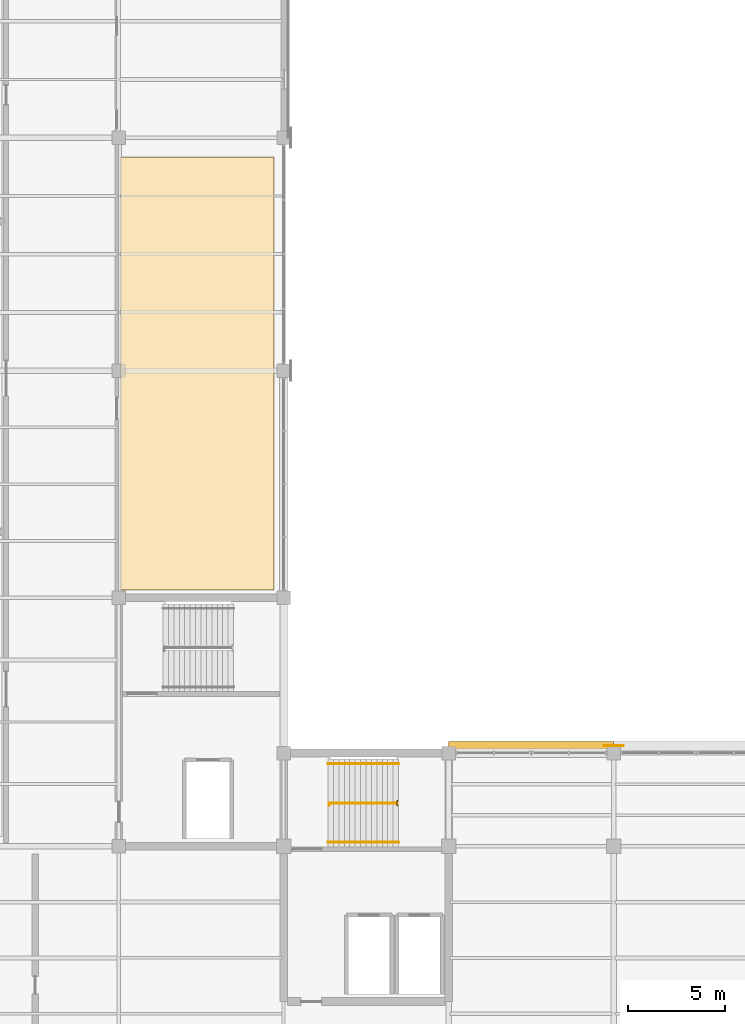
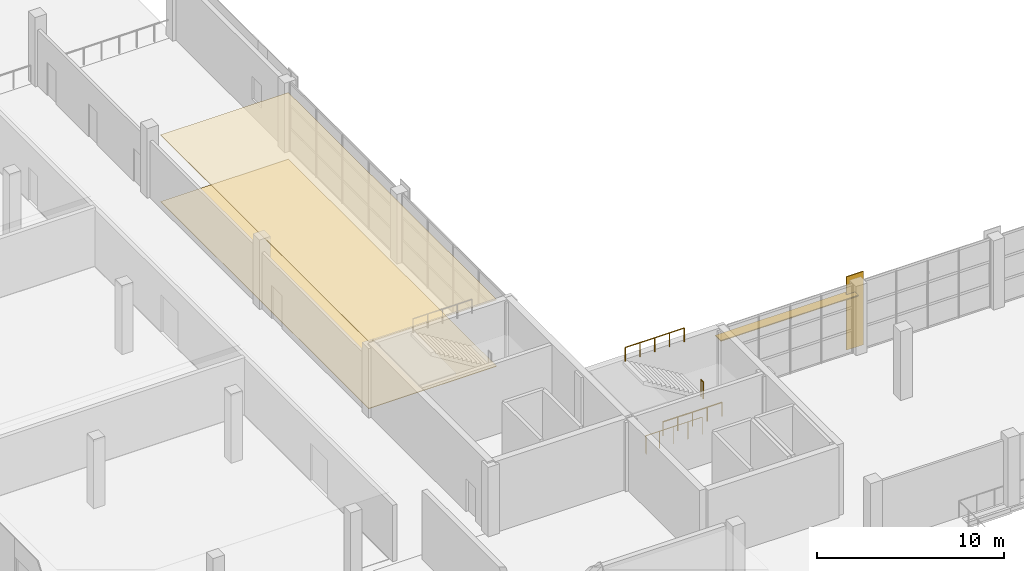
# One storey, part 92 of 101: 4 railings, 3 coverings, 1 shading device.
"""IFC4 building model written with IfcOpenShell, lengths in metres."""

from ifc_helpers import new_model, si_unit, direction, frame, origin, origin_2d, place, context, subcontext, project, spatial, polyline, rectangle, hollow_rectangle, circle, outline, extrude, material, layer, layer_set, material_profile, profile_set, type_object, element, save


model = new_model("IFC4")

# Units and contexts
model_context = context("Model", 3, precision=1e-05, world=origin(), true_north=direction((0.0, 1.0)))
body_context = subcontext(model_context, "Body", "Model", "MODEL_VIEW")
ifc_project = project(units=[si_unit("LENGTHUNIT", "METRE"), si_unit("AREAUNIT", "SQUARE_METRE"), si_unit("VOLUMEUNIT", "CUBIC_METRE"), si_unit("PLANEANGLEUNIT", "RADIAN"), si_unit("MASSUNIT", "GRAM", prefix="KILO")], contexts=[model_context])

# Site, building, storey
site_placement = place(None, origin())
site = spatial("IfcSite", under=ifc_project, at=site_placement, CompositionType="ELEMENT")
building_placement = place(site_placement, origin())
building = spatial("IfcBuilding", under=site, at=building_placement, Name="Solvikara Media Centre", CompositionType="ELEMENT")
storey_placement = place(building_placement, frame((0.0, 0.0, 10.199951171875)))
storey = spatial("IfcBuildingStorey", under=building, at=storey_placement, Name="L02", CompositionType="ELEMENT", Elevation=10.199951171875)

# Coverings
ifc_material_1 = material(Name="Perforated acoustic gypsum ceiling board")
ifc_layer_1 = layer(ifc_material_1, 0.0400390625)
ifc_layer_set_1 = layer_set([ifc_layer_1], Name="Perforated acoustic gypsum ceiling board")
covering_type_1 = type_object("IfcCoveringType", Name="CV-01", PredefinedType="CEILING", material=ifc_layer_set_1)
covering_1_placement = place(storey_placement, frame((0.0, 0.0, 4.35009765625)))
element("IfcCovering", 1, at=covering_1_placement, inside=storey, type_object=covering_type_1, Name="CLG-034", PredefinedType="CEILING", context=body_context, shape_type="SweptSolid", body=[
    extrude(outline(polyline([(25.60009765625, 45.199951171875), (33.5, 45.199951171875), (33.5, 67.5), (25.60009765625, 67.5), (25.60009765625, 45.199951171875)])), origin(), (0.0, 0.0, 1.0), 0.0400390625),
])
ifc_material_2 = material(Name="Polished terrazzo floor finish")
ifc_layer_2 = layer(ifc_material_2, 0.030029296875)
ifc_layer_set_2 = layer_set([ifc_layer_2], Name="Polished terrazzo floor finish")
covering_type_2 = type_object("IfcCoveringType", Name="CV-02", PredefinedType="FLOORING", material=ifc_layer_set_2)
covering_2_placement = place(storey_placement, origin())
element("IfcCovering", 2, at=covering_2_placement, inside=storey, type_object=covering_type_2, Name="FLR-034", PredefinedType="FLOORING", context=body_context, shape_type="SweptSolid", body=[
    extrude(outline(polyline([(25.60009765625, 45.199951171875), (33.5, 45.199951171875), (33.5, 67.5), (25.60009765625, 67.5), (25.60009765625, 45.199951171875)])), origin(), (0.0, 0.0, 1.0), 0.030029296875),
])
ifc_material_3 = material(Name="GFRC white mineral architectural rainscreen panel")
ifc_layer_3 = layer(ifc_material_3, 0.050048828125)
ifc_layer_set_3 = layer_set([ifc_layer_3], Name="GFRC white mineral architectural rainscreen panel")
covering_type_3 = type_object("IfcCoveringType", Name="CV-04", PredefinedType="CLADDING", material=ifc_layer_set_3)
covering_3_placement = place(storey_placement, frame((51.0, 37.175048828125, 0.0), z_axis=(0.0, 0.0, 1.0), x_axis=(-1.0, 0.0, 0.0)))
element("IfcCovering", 3, at=covering_3_placement, inside=storey, type_object=covering_type_3, Name="PIL-L02-125", PredefinedType="CLADDING", context=body_context, shape_type="SweptSolid", body=[
    extrude(rectangle(XDim=1.0400390625, YDim=0.050048828125, at=origin_2d()), origin(), (0.0, 0.0, 1.0), 4.800048828125),
])

# Railings
ifc_material_4 = material(Name="Steel S355JR", Category="steel")
railing_type_1 = type_object("IfcRailingType", Name="GR-01", PredefinedType="GUARDRAIL", material=ifc_material_4)
railing_1_placement = place(storey_placement, frame((36.340087890625, 34.10009765625, 0.0)))
element("IfcRailing", 4, at=railing_1_placement, inside=storey, type_object=railing_type_1, Name="GR-C2-L01-W", PredefinedType="GUARDRAIL", context=body_context, shape_type="SweptSolid", body=[
    extrude(circle(Radius=0.02392578125, at=origin_2d()), frame((0.0, 0.0, 1.1259765625), z_axis=(0.0, 1.0, 0.0), x_axis=(-1.0, 0.0, 0.0)), (0.0, 0.0, 1.0), 0.119873046875),
    extrude(circle(Radius=0.02392578125, at=origin_2d()), frame((0.0, 0.119873046875, 1.1259765625), z_axis=(1.0, 0.0, 0.0), x_axis=(0.0, 1.0, 0.0)), (0.0, 0.0, 1.0), 3.52001953125),
    extrude(circle(Radius=0.02099609375, at=origin_2d()), origin(), (0.0, 0.0, 1.0), 1.101806640625),
    extrude(circle(Radius=0.02099609375, at=origin_2d()), frame((0.0, 0.119873046875, 0.0)), (0.0, 0.0, 1.0), 1.101806640625),
    extrude(circle(Radius=0.02099609375, at=origin_2d()), frame((0.8798828125, 0.119873046875, 0.0)), (0.0, 0.0, 1.0), 1.101806640625),
    extrude(circle(Radius=0.02099609375, at=origin_2d()), frame((1.760009765625, 0.119873046875, 0.0)), (0.0, 0.0, 1.0), 1.101806640625),
    extrude(circle(Radius=0.02099609375, at=origin_2d()), frame((2.64013671875, 0.119873046875, 0.0)), (0.0, 0.0, 1.0), 1.101806640625),
    extrude(circle(Radius=0.02099609375, at=origin_2d()), frame((3.52001953125, 0.119873046875, 0.0)), (0.0, 0.0, 1.0), 1.101806640625),
])
railing_type_2 = type_object("IfcRailingType", Name="GR-02", PredefinedType="BALUSTRADE", material=ifc_material_4)
railing_2_placement = place(storey_placement, frame((39.860107421875, 34.10009765625, 2.400146484375)))
element("IfcRailing", 5, at=railing_2_placement, inside=storey, type_object=railing_type_2, Name="GR-C2-L02-M", PredefinedType="BALUSTRADE", context=body_context, shape_type="SweptSolid", body=[
    extrude(circle(Radius=0.02392578125, at=origin_2d()), frame((0.0, 0.0, 1.09619140625), z_axis=(0.0, 1.0, 0.0), x_axis=(-1.0, 0.0, 0.0)), (0.0, 0.0, 1.0), 0.25),
    extrude(circle(Radius=0.02099609375, at=origin_2d()), origin(), (0.0, 0.0, 1.0), 1.072021484375),
    extrude(circle(Radius=0.02099609375, at=origin_2d()), frame((0.0, 0.25, 0.0)), (0.0, 0.0, 1.0), 1.072021484375),
])
railing_type_3 = type_object("IfcRailingType", Name="HR-01", PredefinedType="HANDRAIL", material=ifc_material_4)
railing_3_placement = place(storey_placement, frame((36.280029296875, 32.199951171875, 2.400146484375)))
element("IfcRailing", 6, at=railing_3_placement, inside=storey, type_object=railing_type_3, Name="HR-C2-L02-1", PredefinedType="HANDRAIL", context=body_context, shape_type="SweptSolid", body=[
    extrude(circle(Radius=0.02392578125, at=origin_2d()), frame((0.0, 0.0, 0.89599609375), z_axis=(1.0, 0.0, 0.0), x_axis=(0.0, 1.0, 0.0)), (0.0, 0.0, 1.0), 3.639892578125),
    extrude(circle(Radius=0.02099609375, at=origin_2d()), origin(), (0.0, 0.0, 1.0), 0.871826171875),
    extrude(circle(Radius=0.02099609375, at=origin_2d()), frame((0.909912109375, 0.0, 0.0)), (0.0, 0.0, 1.0), 0.871826171875),
    extrude(circle(Radius=0.02099609375, at=origin_2d()), frame((1.81982421875, 0.0, 0.0)), (0.0, 0.0, 1.0), 0.871826171875),
    extrude(circle(Radius=0.02099609375, at=origin_2d()), frame((2.72998046875, 0.0, 0.0)), (0.0, 0.0, 1.0), 0.871826171875),
    extrude(circle(Radius=0.02099609375, at=origin_2d()), frame((3.639892578125, 0.0, 0.0)), (0.0, 0.0, 1.0), 0.871826171875),
])
railing_4_placement = place(storey_placement, frame((39.919921875, 36.25, 4.800048828125)))
element("IfcRailing", 7, at=railing_4_placement, inside=storey, type_object=railing_type_3, Name="HR-C2-L02-2", PredefinedType="HANDRAIL", context=body_context, shape_type="SweptSolid", body=[
    extrude(circle(Radius=0.02392578125, at=origin_2d()), frame((0.0, 0.0, 0.89599609375), z_axis=(-1.0, 0.0, 0.0), x_axis=(0.0, -1.0, 0.0)), (0.0, 0.0, 1.0), 3.639892578125),
    extrude(circle(Radius=0.02099609375, at=origin_2d()), origin(), (0.0, 0.0, 1.0), 0.871826171875),
    extrude(circle(Radius=0.02099609375, at=origin_2d()), frame((-0.909912109375, 0.0, 0.0)), (0.0, 0.0, 1.0), 0.871826171875),
    extrude(circle(Radius=0.02099609375, at=origin_2d()), frame((-1.81982421875, 0.0, 0.0)), (0.0, 0.0, 1.0), 0.871826171875),
    extrude(circle(Radius=0.02099609375, at=origin_2d()), frame((-2.72998046875, 0.0, 0.0)), (0.0, 0.0, 1.0), 0.871826171875),
    extrude(circle(Radius=0.02099609375, at=origin_2d()), frame((-3.639892578125, 0.0, 0.0)), (0.0, 0.0, 1.0), 0.871826171875),
])

# Shading device
ifc_material_5 = material(Name="Anodised aluminium EN AW-6063", Category="aluminium")
ifc_material_profile = material_profile(ifc_material_5, hollow_rectangle(XDim=0.60009765625, YDim=0.06005859375, WallThickness=0.00341796875, at=origin_2d()), Name="ALU-LOUVRE 60x600x3.5")
ifc_profile_set = profile_set([ifc_material_profile], Name="Anodised aluminium EN AW-6063")
shading_device_type = type_object("IfcShadingDeviceType", Name="SH-02", PredefinedType="JALOUSIE", material=ifc_profile_set)
shading_device_placement = place(storey_placement, frame((42.5, 37.10009765625, 3.60009765625), z_axis=(1.0, 0.0, 0.0), x_axis=(0.0, 1.0, 0.0)))
element("IfcShadingDevice", 8, at=shading_device_placement, inside=storey, type_object=shading_device_type, Name="LVR-L02-007", PredefinedType="JALOUSIE", context=body_context, shape_type="SweptSolid", body=[
    extrude(hollow_rectangle(XDim=0.60009765625, YDim=0.06005859375, WallThickness=0.00341796875, at=origin_2d()), origin(), (0.0, 0.0, 1.0), 8.5),
])

save(model, "model.ifc")
